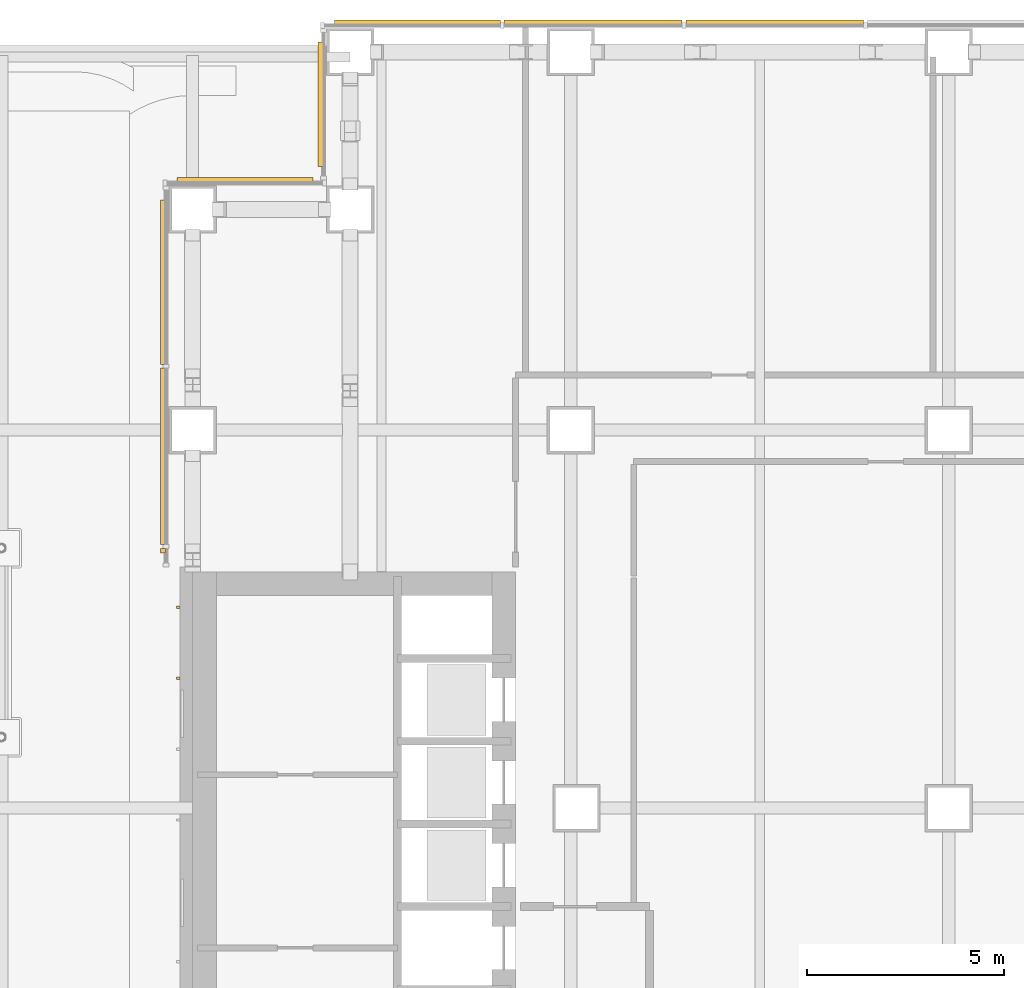
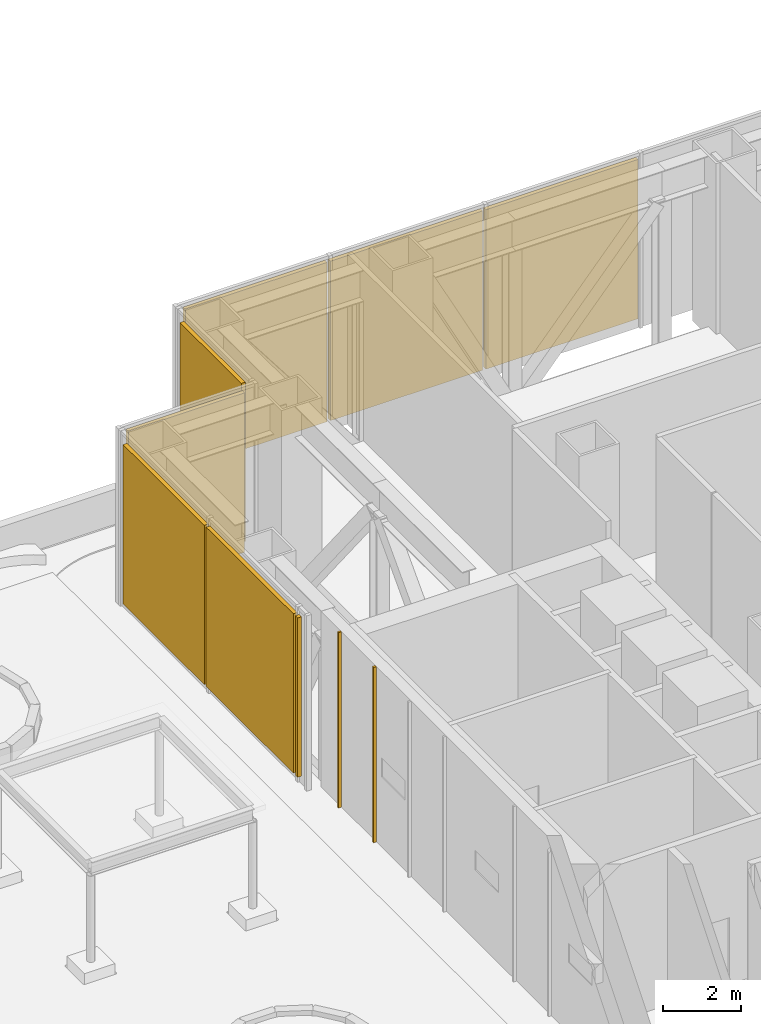
# One storey, part 35 of 39: 10 coverings.
"""IFC4 building model written with IfcOpenShell, lengths in metres."""

from ifc_helpers import new_model, si_unit, direction, frame, origin, origin_2d, place, context, subcontext, project, spatial, rectangle, extrude, material, type_object, element, save


model = new_model("IFC4")

# Units and contexts
model_context = context("Model", 3, precision=1e-05, world=origin(), true_north=direction((0.0, 1.0)))
body_context = subcontext(model_context, "Body", "Model", "MODEL_VIEW")
ifc_project = project(units=[si_unit("LENGTHUNIT", "METRE"), si_unit("AREAUNIT", "SQUARE_METRE"), si_unit("VOLUMEUNIT", "CUBIC_METRE"), si_unit("PLANEANGLEUNIT", "RADIAN"), si_unit("MASSUNIT", "GRAM", prefix="KILO")], contexts=[model_context])

# Site, building, storey
site_placement = place(None, origin())
site = spatial("IfcSite", under=ifc_project, at=site_placement, CompositionType="ELEMENT")
building_placement = place(site_placement, origin())
building = spatial("IfcBuilding", under=site, at=building_placement, Name="Cobrizo Arcos Hotel Tower", CompositionType="ELEMENT")
storey_placement = place(building_placement, frame((0.0, 0.0, 33.5)))
storey = spatial("IfcBuildingStorey", under=building, at=storey_placement, Name="L06", CompositionType="ELEMENT", Elevation=33.5)

# Coverings
ifc_material_1 = material(Name="Aluminium 6063-T6 anodised bronze", Category="aluminium")
covering_type_1 = type_object("IfcCoveringType", Name="LV-1 plant louvre band", PredefinedType="CLADDING", material=ifc_material_1)
for number, where, z_axis, x_axis, name in (
    (1, (-9.22216796875, 24.7548828125, 0.25), (0.0, 0.0, 1.0), (-1.0, 0.0, 0.0), "louvre band 348"),
    (2, (-13.833251953125, 24.7548828125, 0.25), (0.0, 0.0, 1.0), (-1.0, 0.0, 0.0), "louvre band 349"),
):
    element("IfcCovering", number, at=place(storey_placement, frame(where, z_axis=z_axis, x_axis=x_axis)), inside=storey, type_object=covering_type_1, Name=name, PredefinedType="CLADDING", context=body_context, shape_type="SweptSolid", body=[
        extrude(rectangle(XDim=4.51123046875, YDim=0.1201171875, at=origin_2d()), origin(), (0.0, 0.0, 1.0), 5.0),
    ])
covering_1_placement = place(storey_placement, frame((-18.29443359375, 24.7548828125, 0.25), z_axis=(0.0, 0.0, 1.0), x_axis=(-1.0, 0.0, 0.0)))
element("IfcCovering", 3, at=covering_1_placement, inside=storey, type_object=covering_type_1, Name="louvre band 350", PredefinedType="CLADDING", context=body_context, shape_type="SweptSolid", body=[
    extrude(rectangle(XDim=4.211181640625, YDim=0.1201171875, at=origin_2d()), origin(), (0.0, 0.0, 1.0), 5.0),
])
covering_2_placement = place(storey_placement, frame((-20.7548828125, 22.675048828125, 0.25), z_axis=(0.0, 0.0, 1.0), x_axis=(0.0, -1.0, 0.0)))
element("IfcCovering", 4, at=covering_2_placement, inside=storey, type_object=covering_type_1, Name="louvre band 351", PredefinedType="CLADDING", context=body_context, shape_type="SweptSolid", body=[
    extrude(rectangle(XDim=3.14990234375, YDim=0.1201171875, at=origin_2d()), origin(), (0.0, 0.0, 1.0), 5.0),
])
covering_3_placement = place(storey_placement, frame((-22.675048828125, 20.7548828125, 0.25), z_axis=(0.0, 0.0, 1.0), x_axis=(-1.0, 0.0, 0.0)))
element("IfcCovering", 5, at=covering_3_placement, inside=storey, type_object=covering_type_1, Name="louvre band 352", PredefinedType="CLADDING", context=body_context, shape_type="SweptSolid", body=[
    extrude(rectangle(XDim=3.449951171875, YDim=0.1201171875, at=origin_2d()), origin(), (0.0, 0.0, 1.0), 5.0),
])
covering_4_placement = place(storey_placement, frame((-24.7548828125, 18.1611328125, 0.25), z_axis=(0.0, 0.0, 1.0), x_axis=(0.0, -1.0, 0.0)))
element("IfcCovering", 6, at=covering_4_placement, inside=storey, type_object=covering_type_1, Name="louvre band 353", PredefinedType="CLADDING", context=body_context, shape_type="SweptSolid", body=[
    extrude(rectangle(XDim=4.177734375, YDim=0.1201171875, at=origin_2d()), origin(), (0.0, 0.0, 1.0), 5.0),
])
covering_5_placement = place(storey_placement, frame((-24.7548828125, 13.7333984375, 0.25), z_axis=(0.0, 0.0, 1.0), x_axis=(0.0, -1.0, 0.0)))
element("IfcCovering", 7, at=covering_5_placement, inside=storey, type_object=covering_type_1, Name="louvre band 354", PredefinedType="CLADDING", context=body_context, shape_type="SweptSolid", body=[
    extrude(rectangle(XDim=4.477783203125, YDim=0.1201171875, at=origin_2d()), origin(), (0.0, 0.0, 1.0), 5.0),
])
covering_6_placement = place(storey_placement, frame((-24.7548828125, 11.33447265625, 0.25), z_axis=(0.0, 0.0, 1.0), x_axis=(0.0, -1.0, 0.0)))
element("IfcCovering", 8, at=covering_6_placement, inside=storey, type_object=covering_type_1, Name="louvre band 355", PredefinedType="CLADDING", context=body_context, shape_type="SweptSolid", body=[
    extrude(rectangle(XDim=0.1201171875, YDim=0.1201171875, at=origin_2d()), origin(), (0.0, 0.0, 1.0), 5.0),
])
ifc_material_2 = material(Name="Aluminium 6063-T6 anodised pale", Category="aluminium")
covering_type_2 = type_object("IfcCoveringType", Name="RS-1 rainscreen rib 60x90", PredefinedType="CLADDING", material=ifc_material_2)
for number, where, z_axis, x_axis, name in (
    (9, (-24.3701171875, 9.89990234375, 0.0), (0.0, 0.0, 1.0), (0.0, -1.0, 0.0), "Rainscreen rib 11"),
    (10, (-24.3701171875, 8.10009765625, 0.0), (0.0, 0.0, 1.0), (0.0, -1.0, 0.0), "Rainscreen rib 12"),
):
    element("IfcCovering", number, at=place(storey_placement, frame(where, z_axis=z_axis, x_axis=x_axis)), inside=storey, type_object=covering_type_2, Name=name, PredefinedType="CLADDING", context=body_context, shape_type="SweptSolid", body=[
        extrude(rectangle(XDim=0.06005859375, YDim=0.090087890625, at=origin_2d()), origin(), (0.0, 0.0, 1.0), 5.5),
    ])

save(model, "model.ifc")
